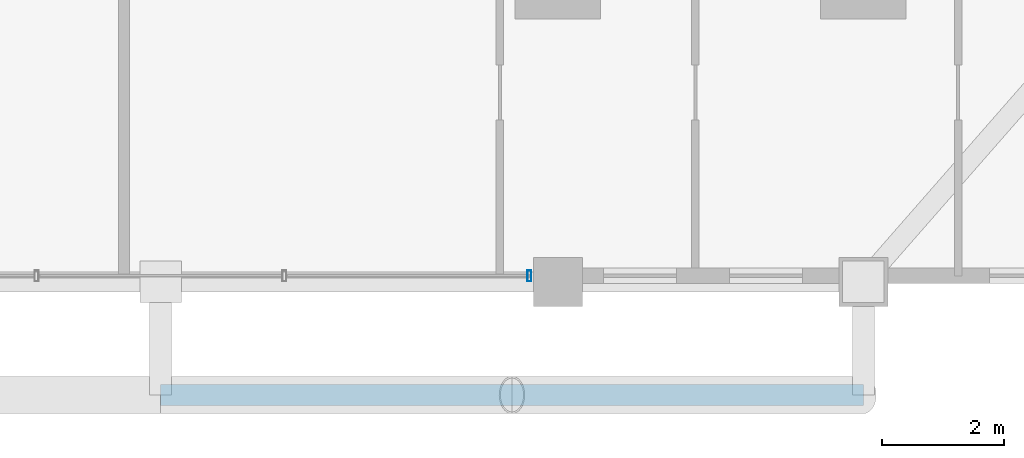
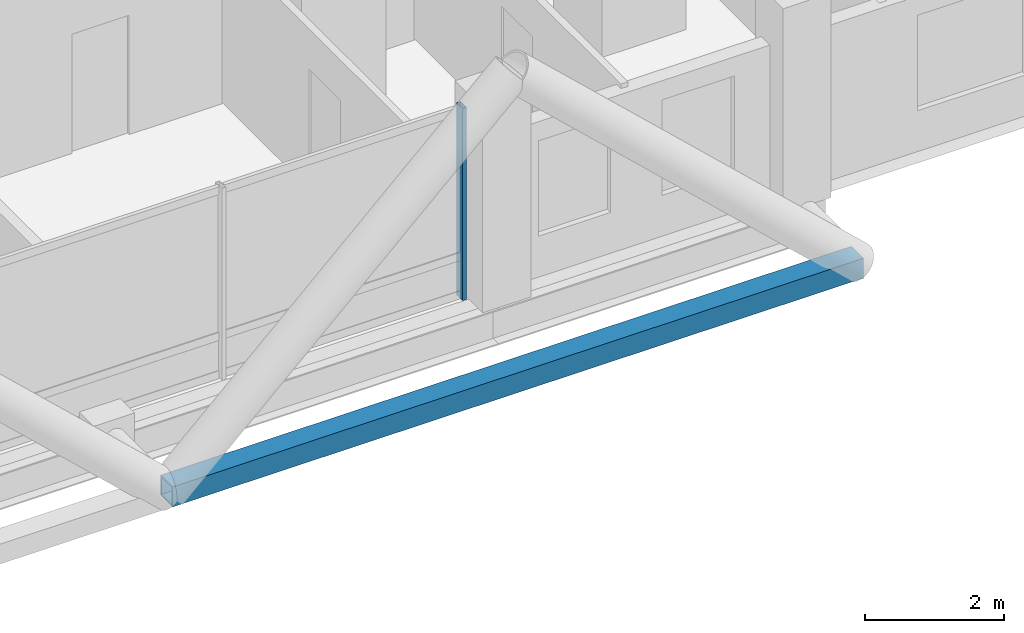
# One storey, part 4 of 27: 2 members, 1 element without a shape of its own.
"""IFC4 building model written with IfcOpenShell, lengths in metres."""

from ifc_helpers import new_model, si_unit, direction, frame, origin, origin_2d, place, context, subcontext, project, spatial, hollow_rectangle, extrude, material, layer, layer_set, material_profile, profile_set, type_object, element, aggregate, save


model = new_model("IFC4")

# Units and contexts
model_context = context("Model", 3, precision=1e-05, world=origin(), true_north=direction((0.0, 1.0)))
body_context = subcontext(model_context, "Body", "Model", "MODEL_VIEW")
ifc_project = project(units=[si_unit("LENGTHUNIT", "METRE"), si_unit("AREAUNIT", "SQUARE_METRE"), si_unit("VOLUMEUNIT", "CUBIC_METRE"), si_unit("PLANEANGLEUNIT", "RADIAN"), si_unit("MASSUNIT", "GRAM", prefix="KILO")], contexts=[model_context])

# Site, building, storey
site_placement = place(None, origin())
site = spatial("IfcSite", under=ifc_project, at=site_placement, CompositionType="ELEMENT")
building_placement = place(site_placement, origin())
building = spatial("IfcBuilding", under=site, at=building_placement, Name="Barlavira Tower and Art Museum", CompositionType="ELEMENT")
storey_placement = place(building_placement, frame((0.0, 0.0, 72.0)))
storey = spatial("IfcBuildingStorey", under=building, at=storey_placement, Name="L17", CompositionType="ELEMENT", Elevation=72.0)

# Curtain wall, member
ifc_material_1 = material(Name="Low-iron coastal laminated glass", Category="glass")
ifc_layer = layer(ifc_material_1, 0.179931640625, Name="Low-iron coastal laminated glass")
ifc_layer_set = layer_set([ifc_layer], Name="Low-iron coastal laminated glass")
curtain_wall_type = type_object("IfcCurtainWallType", Name="Pale-Metal Unitised Curtain Wall Zone 1", PredefinedType="NOTDEFINED", material=ifc_layer_set)
curtain_wall_placement = place(storey_placement, origin())
curtain_wall = element("IfcCurtainWall", 1, at=curtain_wall_placement, inside=storey, type_object=curtain_wall_type, Name="L17 Curtain Wall CW1-L17-S-B3", PredefinedType="NOTDEFINED")
ifc_material_2 = material(Name="Pale anodised aluminium", Category="aluminium")
ifc_material_profile_1 = material_profile(ifc_material_2, hollow_rectangle(XDim=0.06494140625, YDim=0.179931640625, WallThickness=0.00390625, at=origin_2d()), Name="ALU-MULL 65x180x4")
ifc_profile_set_1 = profile_set([ifc_material_profile_1], Name="Pale anodised aluminium")
member_type_1 = type_object("IfcMemberType", Name="Curtain Wall Pale-Metal Mullion 65x180", PredefinedType="MULLION", material=ifc_profile_set_1)
member_1_placement = place(storey_placement, frame((6.034912109375, -24.89990234375, 0.0), z_axis=(0.0, 0.0, 1.0), x_axis=(1.0, 0.0, 0.0)))
member_1 = element("IfcMember", 2, at=member_1_placement, type_object=member_type_1, Name="CW1-L17-S-B3 Mullion 3", PredefinedType="MULLION", context=body_context, shape_type="SweptSolid", body=[
    extrude(hollow_rectangle(XDim=0.06494140625, YDim=0.179931640625, WallThickness=0.00390625, at=origin_2d()), origin(), (0.0, 0.0, 1.0), 3.3798828125),
])
aggregate(curtain_wall, [member_1])

# Member
ifc_material_3 = material(Name="Steel S355", Category="steel")
ifc_material_profile_2 = material_profile(ifc_material_3, hollow_rectangle(XDim=0.35009765625, YDim=0.35009765625, WallThickness=0.02001953125, at=origin_2d()), Name="SHS 350x350x20.0")
ifc_profile_set_2 = profile_set([ifc_material_profile_2], Name="Steel S355")
member_type_2 = type_object("IfcMemberType", Name="Pale-Metal Exoskeleton Ring Strut SHS 350x350x20 Steel S355", PredefinedType="STRUT", material=ifc_profile_set_2)
member_2_placement = place(storey_placement, frame((0.0, -26.85009765625, -0.1201171875), z_axis=(1.0, 0.0, 0.0), x_axis=(0.0, 1.0, 0.0)))
element("IfcMember", 3, at=member_2_placement, inside=storey, type_object=member_type_2, Name="L17 Exoskeleton Ring Strut S", PredefinedType="STRUT", context=body_context, shape_type="SweptSolid", body=[
    extrude(hollow_rectangle(XDim=0.35009765625, YDim=0.35009765625, WallThickness=0.02001953125, at=origin_2d()), origin(), (0.0, 0.0, 1.0), 11.5),
])

save(model, "model.ifc")
